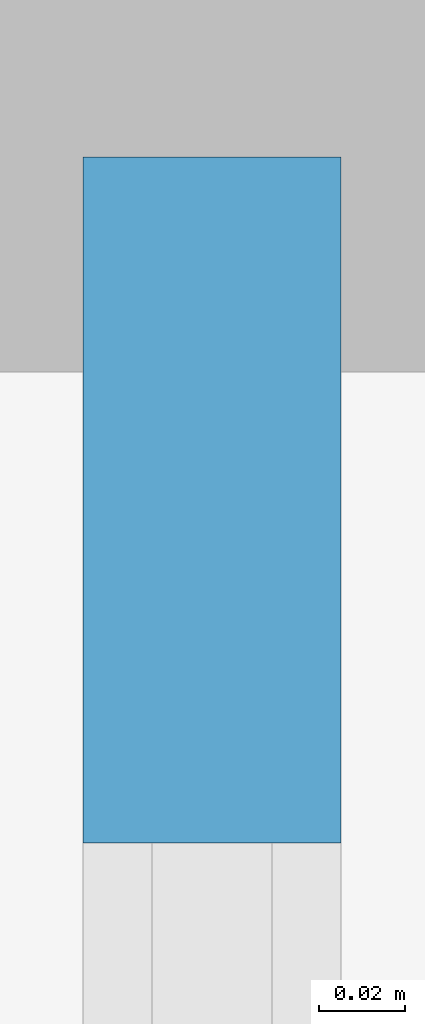
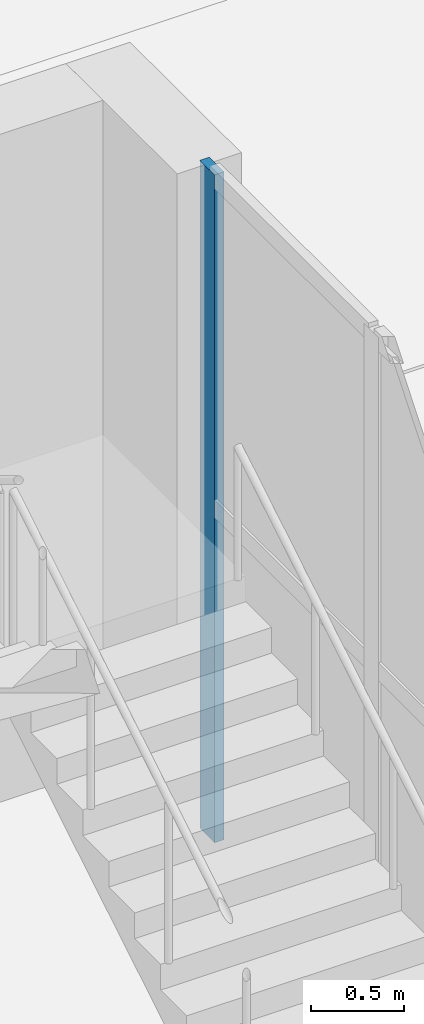
# One storey, part 47 of 139: 1 member, 1 element without a shape of its own.
"""IFC4 building model written with IfcOpenShell, lengths in metres."""

from ifc_helpers import new_model, si_unit, direction, frame, origin, origin_2d, place, context, subcontext, project, spatial, rectangle, extrude, material, material_profile, profile_set, type_object, element, aggregate, save


model = new_model("IFC4")

# Units and contexts
model_context = context("Model", 3, precision=1e-05, world=origin(), true_north=direction((0.0, 1.0)))
body_context = subcontext(model_context, "Body", "Model", "MODEL_VIEW")
ifc_project = project(units=[si_unit("LENGTHUNIT", "METRE"), si_unit("AREAUNIT", "SQUARE_METRE"), si_unit("VOLUMEUNIT", "CUBIC_METRE"), si_unit("PLANEANGLEUNIT", "RADIAN"), si_unit("MASSUNIT", "GRAM", prefix="KILO")], contexts=[model_context])

# Site, building, storey
site_placement = place(None, origin())
site = spatial("IfcSite", under=ifc_project, at=site_placement, CompositionType="ELEMENT")
building_placement = place(site_placement, origin())
building = spatial("IfcBuilding", under=site, at=building_placement, Name="Verrick Yard Athletic Hall", CompositionType="ELEMENT")
storey_placement = place(building_placement, origin())
storey = spatial("IfcBuildingStorey", under=building, at=storey_placement, Name="L00", CompositionType="ELEMENT", Elevation=0.0)

# Curtain wall, member
ifc_material = material(Name="Aluminium 6063-T5", Category="aluminium")
curtain_wall_type = type_object("IfcCurtainWallType", Name="Core glazing strip", PredefinedType="NOTDEFINED", material=ifc_material)
curtain_wall_placement = place(storey_placement, origin())
curtain_wall = element("IfcCurtainWall", 1, at=curtain_wall_placement, inside=storey, type_object=curtain_wall_type, Name="CORE-CB4-CW-L00", PredefinedType="NOTDEFINED")
ifc_material_profile = material_profile(ifc_material, rectangle(XDim=0.06005859375, YDim=0.159912109375, at=origin_2d()), Name="Core glazing mullion 60x160")
ifc_profile_set = profile_set([ifc_material_profile], Name="Aluminium 6063-T5")
member_type = type_object("IfcMemberType", Name="Core glazing mullion 60x160", PredefinedType="MULLION", material=ifc_profile_set)
member_placement = place(storey_placement, frame((165.800048828125, 52.77001953125, 0.0), z_axis=(0.0, 0.0, 1.0), x_axis=(-1.0, 0.0, 0.0)))
member = element("IfcMember", 2, at=member_placement, type_object=member_type, Name="CW5 mullion 3", PredefinedType="MULLION", context=body_context, shape_type="SweptSolid", body=[
    extrude(rectangle(XDim=0.06005859375, YDim=0.159912109375, at=origin_2d()), origin(), (0.0, 0.0, 1.0), 4.39990234375),
])
aggregate(curtain_wall, [member])

save(model, "model.ifc")
